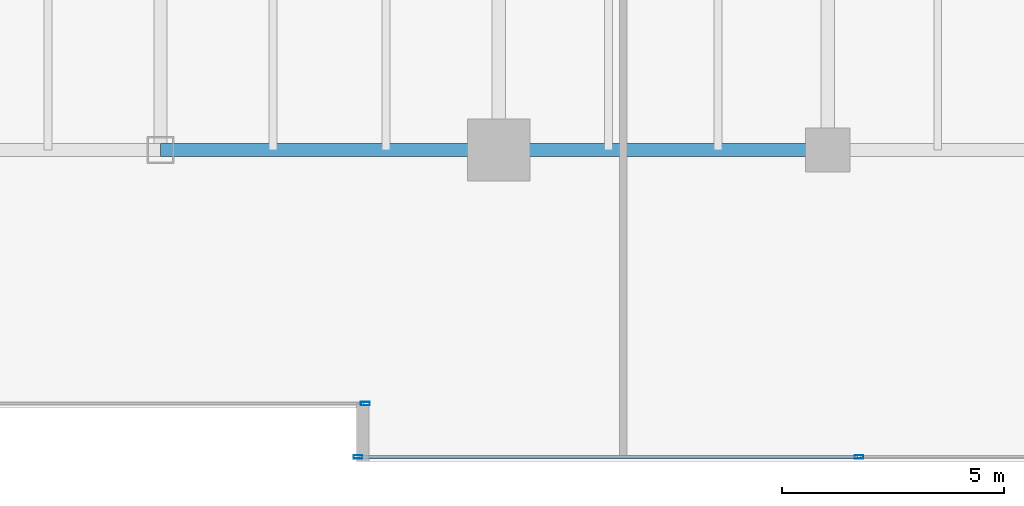
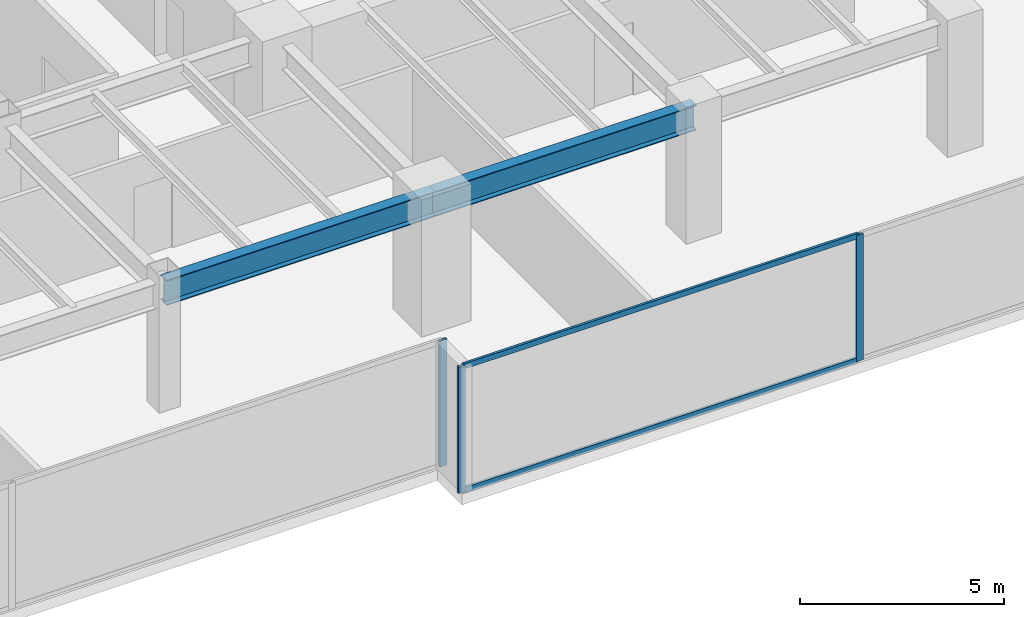
# One storey, part 10 of 35: 5 members, 2 beams, 2 elements without a shape of their own.
"""IFC4 building model written with IfcOpenShell, lengths in metres."""

from ifc_helpers import new_model, si_unit, direction, frame, origin, origin_2d, place, context, subcontext, project, spatial, hollow_rectangle, i_section, extrude, source, transform, mapped, material, layer, layer_set, material_profile, profile_set, type_object, type_shapes, element, aggregate, save


model = new_model("IFC4")

# Units and contexts
model_context = context("Model", 3, precision=1e-05, world=origin(), true_north=direction((0.0, 1.0)))
body_context = subcontext(model_context, "Body", "Model", "MODEL_VIEW")
ifc_project = project(units=[si_unit("LENGTHUNIT", "METRE"), si_unit("AREAUNIT", "SQUARE_METRE"), si_unit("VOLUMEUNIT", "CUBIC_METRE"), si_unit("PLANEANGLEUNIT", "RADIAN"), si_unit("MASSUNIT", "GRAM", prefix="KILO")], contexts=[model_context])

# Site, building, storey
site_placement = place(None, origin())
site = spatial("IfcSite", under=ifc_project, at=site_placement, CompositionType="ELEMENT")
building_placement = place(site_placement, origin())
building = spatial("IfcBuilding", under=site, at=building_placement, Name="Haelvirn Gate Laboratories", CompositionType="ELEMENT")
storey_placement = place(building_placement, frame((0.0, 0.0, 41.60009765625)))
storey = spatial("IfcBuildingStorey", under=building, at=storey_placement, Name="L10", CompositionType="ELEMENT", Elevation=41.60009765625)

# Beams
ifc_material_1 = material(Name="Steel SM355", Category="steel")
ifc_material_profile_1 = material_profile(ifc_material_1, i_section(OverallWidth=0.300048828125, OverallDepth=0.75, WebThickness=0.013916015625, FlangeThickness=0.02392578125, at=origin_2d()), Name="H-750x300x14x24")
ifc_profile_set_1 = profile_set([ifc_material_profile_1], Name="Steel SM355")
beam_type = type_object("IfcBeamType", Name="BM-G-750", PredefinedType="BEAM", material=ifc_profile_set_1)
shared_shape_1 = source(origin(), body_context, "Body", "SweptSolid", [
    extrude(i_section(OverallWidth=0.300048828125, OverallDepth=0.75, WebThickness=0.013916015625, FlangeThickness=0.02392578125, at=origin_2d()), origin(), (0.0, 0.0, 1.0), 7.39990234375),
])
beam_1_placement = place(storey_placement, frame((52.60009765625, 7.0, 3.40478515625), z_axis=(1.0, 0.0, 0.0), x_axis=(0.0, 1.0, 0.0)))
element("IfcBeam", 1, at=beam_1_placement, inside=storey, type_object=beam_type, Name="L10 Primary Girder Y7.0 (52.6-60.0)", PredefinedType="BEAM", context=body_context, shape_type="MappedRepresentation", body=[
    mapped(shared_shape_1, transform((0.0, 0.0, 0.0), scale=1.0)),
])
shared_shape_2 = source(origin(), body_context, "Body", "SweptSolid", [
    extrude(i_section(OverallWidth=0.300048828125, OverallDepth=0.75, WebThickness=0.013916015625, FlangeThickness=0.02392578125, at=origin_2d()), origin(), (0.0, 0.0, 1.0), 7.60009765625),
])
type_shapes(beam_type, [shared_shape_1, shared_shape_2])
beam_2_placement = place(storey_placement, frame((45.0, 7.0, 3.40478515625), z_axis=(1.0, 0.0, 0.0), x_axis=(0.0, 1.0, 0.0)))
element("IfcBeam", 2, at=beam_2_placement, inside=storey, type_object=beam_type, Name="L10 Primary Girder Y7.0 (45.0-52.6)", PredefinedType="BEAM", context=body_context, shape_type="MappedRepresentation", body=[
    mapped(shared_shape_2, transform((0.0, 0.0, 0.0), scale=1.0)),
])

# Curtain wall, members
ifc_material_2 = material(Name="Anodised bronze unitised aluminium & triple low-E glass", Category="aluminium")
ifc_layer = layer(ifc_material_2, 0.18408203125, Name="CW-SYS-2")
ifc_layer_set = layer_set([ifc_layer], Name="Anodised bronze unitised aluminium & triple low-E glass")
curtain_wall_type = type_object("IfcCurtainWallType", Name="CW-SYS-2", PredefinedType="NOTDEFINED", material=ifc_layer_set)
curtain_wall_1_placement = place(storey_placement, origin())
curtain_wall_1 = element("IfcCurtainWall", 3, at=curtain_wall_1_placement, inside=storey, type_object=curtain_wall_type, Name="L10 Unitised Curtain Wall CW-L10-P0-E04-1", PredefinedType="NOTDEFINED")
ifc_material_3 = material(Name="Extruded aluminium 6063-T6 (anodised bronze)", Category="aluminium")
ifc_material_profile_2 = material_profile(ifc_material_3, hollow_rectangle(XDim=0.070068359375, YDim=0.159912109375, WallThickness=0.0048828125, at=origin_2d()), Name="CWT-160x70x5")
ifc_profile_set_2 = profile_set([ifc_material_profile_2], Name="Extruded aluminium 6063-T6 (anodised bronze)")
member_type_1 = type_object("IfcMemberType", Name="CWT-T160", PredefinedType="USERDEFINED", material=ifc_profile_set_2)
shared_shape_3 = source(origin(), body_context, "Body", "SweptSolid", [
    extrude(hollow_rectangle(XDim=0.070068359375, YDim=0.159912109375, WallThickness=0.0048828125, at=origin_2d()), origin(), (0.0, 0.0, 1.0), 11.1875),
])
type_shapes(member_type_1, [shared_shape_3])
member_1_placement = place(storey_placement, frame((49.47509765625, 0.10009765625, 0.034912109375), z_axis=(1.0, 0.0, 0.0), x_axis=(0.0, 1.0, 0.0)))
member_1 = element("IfcMember", 4, at=member_1_placement, type_object=member_type_1, Name="CW2 transom 1.1", ObjectType="TRANSOM", PredefinedType="USERDEFINED", context=body_context, shape_type="MappedRepresentation", body=[
    mapped(shared_shape_3, transform((0.0, 0.0, 0.0), scale=1.0)),
])
member_2_placement = place(storey_placement, frame((49.47509765625, 0.10009765625, 3.744873046875), z_axis=(1.0, 0.0, 0.0), x_axis=(0.0, 1.0, 0.0)))
member_2 = element("IfcMember", 5, at=member_2_placement, type_object=member_type_1, Name="CW2 transom 1.2", ObjectType="TRANSOM", PredefinedType="USERDEFINED", context=body_context, shape_type="MappedRepresentation", body=[
    mapped(shared_shape_3, transform((0.0, 0.0, 0.0), scale=1.0)),
])

# Curtain wall, member
curtain_wall_2_placement = place(storey_placement, origin())
curtain_wall_2 = element("IfcCurtainWall", 6, at=curtain_wall_2_placement, inside=storey, type_object=curtain_wall_type, Name="L10 Unitised Curtain Wall CW-L10-P0-E02-1", PredefinedType="NOTDEFINED")
ifc_material_profile_3 = material_profile(ifc_material_3, hollow_rectangle(XDim=0.074951171875, YDim=0.199951171875, WallThickness=0.0048828125, at=origin_2d()), Name="CWM-200x75x5")
ifc_profile_set_3 = profile_set([ifc_material_profile_3], Name="Extruded aluminium 6063-T6 (anodised bronze)")
member_type_2 = type_object("IfcMemberType", Name="CWM-T200", PredefinedType="MULLION", material=ifc_profile_set_3)
shared_shape_4 = source(origin(), body_context, "Body", "SweptSolid", [
    extrude(hollow_rectangle(XDim=0.074951171875, YDim=0.199951171875, WallThickness=0.0048828125, at=origin_2d()), origin(), (0.0, 0.0, 1.0), 3.77978515625),
])
type_shapes(member_type_2, [shared_shape_4])
member_3_placement = place(storey_placement, frame((49.6025390625, 1.300048828125, 0.0), z_axis=(0.0, 0.0, 1.0), x_axis=(0.0, 1.0, 0.0)))
member_3 = element("IfcMember", 7, at=member_3_placement, type_object=member_type_2, Name="CW2 mullion 3", PredefinedType="MULLION", context=body_context, shape_type="MappedRepresentation", body=[
    mapped(shared_shape_4, transform((0.0, 0.0, 0.0), scale=1.0)),
])
aggregate(curtain_wall_2, [member_3])

# Member
member_4_placement = place(storey_placement, frame((49.4375, 0.10009765625, 0.0), z_axis=(0.0, 0.0, 1.0), x_axis=(0.0, 1.0, 0.0)))
member_4 = element("IfcMember", 8, at=member_4_placement, type_object=member_type_2, Name="CW2 mullion 1", PredefinedType="MULLION", context=body_context, shape_type="MappedRepresentation", body=[
    mapped(shared_shape_4, transform((0.0, 0.0, 0.0), scale=1.0)),
])

member_5_placement = place(storey_placement, frame((60.699951171875, 0.10009765625, 0.0), z_axis=(0.0, 0.0, 1.0), x_axis=(0.0, 1.0, 0.0)))
member_5 = element("IfcMember", 9, at=member_5_placement, type_object=member_type_2, Name="CW2 mullion 2", PredefinedType="MULLION", context=body_context, shape_type="MappedRepresentation", body=[
    mapped(shared_shape_4, transform((0.0, 0.0, 0.0), scale=1.0)),
])

aggregate(curtain_wall_1, [member_4, member_5, member_1, member_2])

save(model, "model.ifc")
